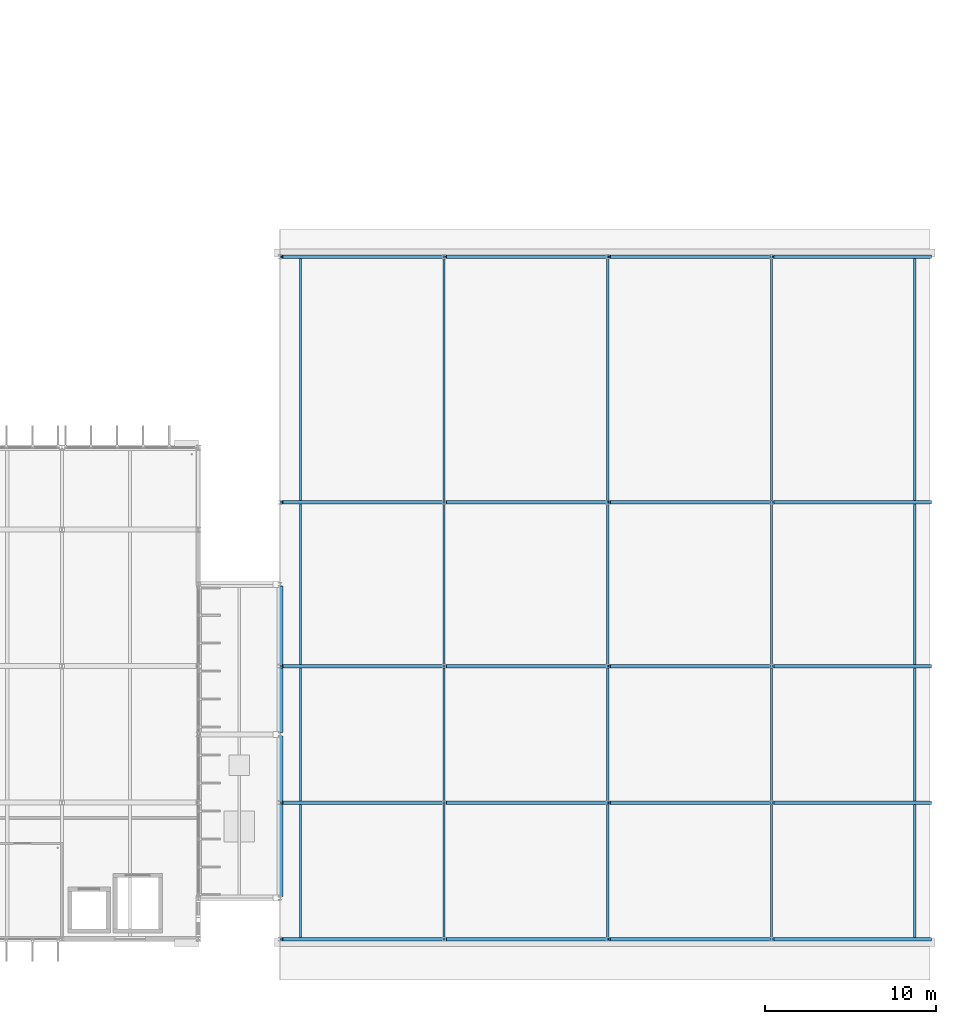
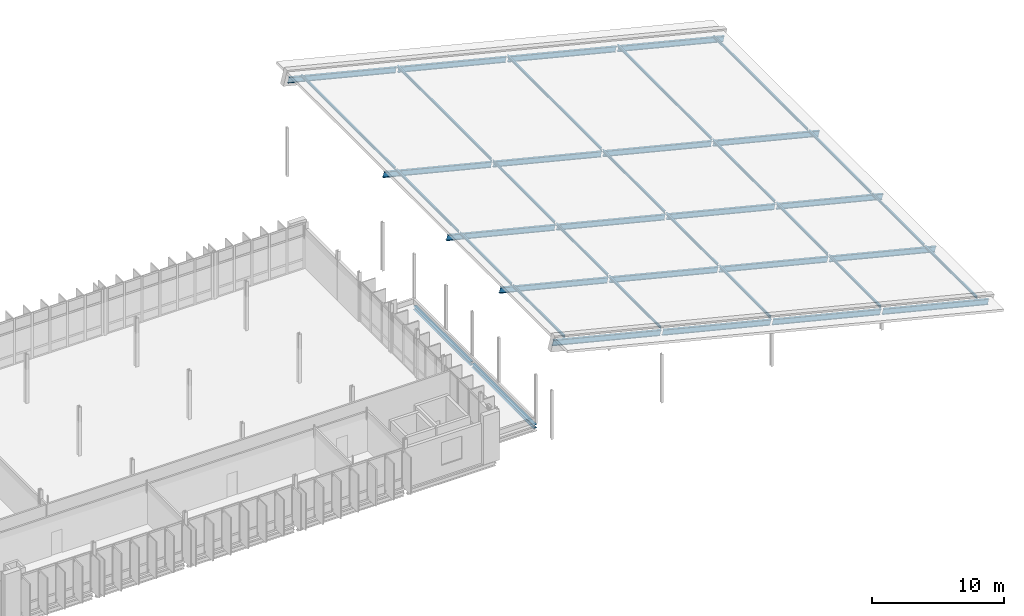
# One storey, part 38 of 93: 40 members, 2 beams.
"""IFC4 building model written with IfcOpenShell, lengths in metres."""

from ifc_helpers import new_model, si_unit, direction, frame, origin, origin_2d, place, context, subcontext, project, spatial, i_section, extrude, material, material_profile, profile_set, type_object, element, save


model = new_model("IFC4")

# Units and contexts
model_context = context("Model", 3, precision=1e-05, world=origin(), true_north=direction((0.0, 1.0)))
body_context = subcontext(model_context, "Body", "Model", "MODEL_VIEW")
ifc_project = project(units=[si_unit("LENGTHUNIT", "METRE"), si_unit("AREAUNIT", "SQUARE_METRE"), si_unit("VOLUMEUNIT", "CUBIC_METRE"), si_unit("PLANEANGLEUNIT", "RADIAN"), si_unit("MASSUNIT", "GRAM", prefix="KILO")], contexts=[model_context])

# Site, building, storey
site_placement = place(None, origin())
site = spatial("IfcSite", under=ifc_project, at=site_placement, CompositionType="ELEMENT")
building_placement = place(site_placement, origin())
building = spatial("IfcBuilding", under=site, at=building_placement, Name="Dunescarp Central Library", CompositionType="ELEMENT")
storey_placement = place(building_placement, frame((0.0, 0.0, 14.10009765625)))
storey = spatial("IfcBuildingStorey", under=building, at=storey_placement, Name="L03", CompositionType="ELEMENT", Elevation=14.10009765625)

# Beams
ifc_material = material(Name="Steel S355JR", Category="steel")
ifc_material_profile_1 = material_profile(ifc_material, i_section(OverallWidth=0.300048828125, OverallDepth=0.330078125, WebThickness=0.009521484375, FlangeThickness=0.0166015625, at=origin_2d()), Name="HEA 340")
ifc_profile_set_1 = profile_set([ifc_material_profile_1], Name="Steel S355JR")
beam_type = type_object("IfcBeamType", Name="STR-BM-HEA340", PredefinedType="BEAM", material=ifc_profile_set_1)
beam_1_placement = place(storey_placement, frame((129.60009765625, 7.299072265625, -0.405029296875), z_axis=(0.0, 1.0, 0.0), x_axis=(-1.0, 0.0, 0.0)))
element("IfcBeam", 1, at=beam_1_placement, inside=storey, type_object=beam_type, Name="L03 girder BM-L03-20011", PredefinedType="BEAM", context=body_context, shape_type="SweptSolid", body=[
    extrude(i_section(OverallWidth=0.300048828125, OverallDepth=0.330078125, WebThickness=0.009521484375, FlangeThickness=0.0166015625, at=origin_2d()), origin(), (0.0, 0.0, 1.0), 9.40185546875),
])
beam_2_placement = place(storey_placement, frame((129.60009765625, 16.89892578125, -0.405029296875), z_axis=(0.0, 1.0, 0.0), x_axis=(-1.0, 0.0, 0.0)))
element("IfcBeam", 2, at=beam_2_placement, inside=storey, type_object=beam_type, Name="L03 girder BM-L03-20014", PredefinedType="BEAM", context=body_context, shape_type="SweptSolid", body=[
    extrude(i_section(OverallWidth=0.300048828125, OverallDepth=0.330078125, WebThickness=0.009521484375, FlangeThickness=0.0166015625, at=origin_2d()), origin(), (0.0, 0.0, 1.0), 8.60205078125),
])

# Members
ifc_material_profile_2 = material_profile(ifc_material, i_section(OverallWidth=0.1201171875, OverallDepth=0.239990234375, WebThickness=0.006103515625, FlangeThickness=0.009765625, at=origin_2d()), Name="IPE 240")
ifc_profile_set_2 = profile_set([ifc_material_profile_2], Name="Steel S355JR")
member_type_1 = type_object("IfcMemberType", Name="STR-PR-IPE240", PredefinedType="PURLIN", material=ifc_profile_set_2)
for number, where, z_axis, x_axis, name in (
    (3, (130.800048828125, 4.89697265625, 8.9189453125), (0.0, 1.0, 0.0), (-1.0, 0.0, 0.0), "V5 roof purlin PR-V5-052"),
    (4, (130.800048828125, 12.89697265625, 8.9189453125), (0.0, 1.0, 0.0), (-1.0, 0.0, 0.0), "V5 roof purlin PR-V5-053"),
):
    element("IfcMember", number, at=place(storey_placement, frame(where, z_axis=z_axis, x_axis=x_axis)), inside=storey, type_object=member_type_1, Name=name, PredefinedType="PURLIN", context=body_context, shape_type="SweptSolid", body=[
        extrude(i_section(OverallWidth=0.1201171875, OverallDepth=0.239990234375, WebThickness=0.006103515625, FlangeThickness=0.009765625, at=origin_2d()), origin(), (0.0, 0.0, 1.0), 7.805908203125),
    ])
member_1_placement = place(storey_placement, frame((130.800048828125, 20.89697265625, 8.9189453125), z_axis=(0.0, 1.0, 0.0), x_axis=(-1.0, 0.0, 0.0)))
element("IfcMember", 5, at=member_1_placement, inside=storey, type_object=member_type_1, Name="V5 roof purlin PR-V5-054", PredefinedType="PURLIN", context=body_context, shape_type="SweptSolid", body=[
    extrude(i_section(OverallWidth=0.1201171875, OverallDepth=0.239990234375, WebThickness=0.006103515625, FlangeThickness=0.009765625, at=origin_2d()), origin(), (0.0, 0.0, 1.0), 9.406005859375),
])
member_2_placement = place(storey_placement, frame((130.800048828125, 30.4970703125, 8.9189453125), z_axis=(0.0, 1.0, 0.0), x_axis=(-1.0, 0.0, 0.0)))
element("IfcMember", 6, at=member_2_placement, inside=storey, type_object=member_type_1, Name="V5 roof purlin PR-V5-055", PredefinedType="PURLIN", context=body_context, shape_type="SweptSolid", body=[
    extrude(i_section(OverallWidth=0.1201171875, OverallDepth=0.239990234375, WebThickness=0.006103515625, FlangeThickness=0.009765625, at=origin_2d()), origin(), (0.0, 0.0, 1.0), 14.205810546875),
])
for number, where, z_axis, x_axis, name in (
    (7, (139.199951171875, 4.89697265625, 6.81884765625), (0.0, 1.0, 0.0), (-1.0, 0.0, 0.0), "V5 roof purlin PR-V5-056"),
    (8, (139.199951171875, 12.89697265625, 6.81884765625), (0.0, 1.0, 0.0), (-1.0, 0.0, 0.0), "V5 roof purlin PR-V5-057"),
):
    element("IfcMember", number, at=place(storey_placement, frame(where, z_axis=z_axis, x_axis=x_axis)), inside=storey, type_object=member_type_1, Name=name, PredefinedType="PURLIN", context=body_context, shape_type="SweptSolid", body=[
        extrude(i_section(OverallWidth=0.1201171875, OverallDepth=0.239990234375, WebThickness=0.006103515625, FlangeThickness=0.009765625, at=origin_2d()), origin(), (0.0, 0.0, 1.0), 7.805908203125),
    ])
member_3_placement = place(storey_placement, frame((139.199951171875, 20.89697265625, 6.81884765625), z_axis=(0.0, 1.0, 0.0), x_axis=(-1.0, 0.0, 0.0)))
element("IfcMember", 9, at=member_3_placement, inside=storey, type_object=member_type_1, Name="V5 roof purlin PR-V5-058", PredefinedType="PURLIN", context=body_context, shape_type="SweptSolid", body=[
    extrude(i_section(OverallWidth=0.1201171875, OverallDepth=0.239990234375, WebThickness=0.006103515625, FlangeThickness=0.009765625, at=origin_2d()), origin(), (0.0, 0.0, 1.0), 9.406005859375),
])
member_4_placement = place(storey_placement, frame((139.199951171875, 30.4970703125, 6.81884765625), z_axis=(0.0, 1.0, 0.0), x_axis=(-1.0, 0.0, 0.0)))
element("IfcMember", 10, at=member_4_placement, inside=storey, type_object=member_type_1, Name="V5 roof purlin PR-V5-059", PredefinedType="PURLIN", context=body_context, shape_type="SweptSolid", body=[
    extrude(i_section(OverallWidth=0.1201171875, OverallDepth=0.239990234375, WebThickness=0.006103515625, FlangeThickness=0.009765625, at=origin_2d()), origin(), (0.0, 0.0, 1.0), 14.205810546875),
])
for number, where, z_axis, x_axis, name in (
    (11, (148.800048828125, 4.89697265625, 4.4189453125), (0.0, 1.0, 0.0), (-1.0, 0.0, 0.0), "V5 roof purlin PR-V5-060"),
    (12, (148.800048828125, 12.89697265625, 4.4189453125), (0.0, 1.0, 0.0), (-1.0, 0.0, 0.0), "V5 roof purlin PR-V5-061"),
):
    element("IfcMember", number, at=place(storey_placement, frame(where, z_axis=z_axis, x_axis=x_axis)), inside=storey, type_object=member_type_1, Name=name, PredefinedType="PURLIN", context=body_context, shape_type="SweptSolid", body=[
        extrude(i_section(OverallWidth=0.1201171875, OverallDepth=0.239990234375, WebThickness=0.006103515625, FlangeThickness=0.009765625, at=origin_2d()), origin(), (0.0, 0.0, 1.0), 7.805908203125),
    ])
member_5_placement = place(storey_placement, frame((148.800048828125, 20.89697265625, 4.4189453125), z_axis=(0.0, 1.0, 0.0), x_axis=(-1.0, 0.0, 0.0)))
element("IfcMember", 13, at=member_5_placement, inside=storey, type_object=member_type_1, Name="V5 roof purlin PR-V5-062", PredefinedType="PURLIN", context=body_context, shape_type="SweptSolid", body=[
    extrude(i_section(OverallWidth=0.1201171875, OverallDepth=0.239990234375, WebThickness=0.006103515625, FlangeThickness=0.009765625, at=origin_2d()), origin(), (0.0, 0.0, 1.0), 9.406005859375),
])
member_6_placement = place(storey_placement, frame((148.800048828125, 30.4970703125, 4.4189453125), z_axis=(0.0, 1.0, 0.0), x_axis=(-1.0, 0.0, 0.0)))
element("IfcMember", 14, at=member_6_placement, inside=storey, type_object=member_type_1, Name="V5 roof purlin PR-V5-063", PredefinedType="PURLIN", context=body_context, shape_type="SweptSolid", body=[
    extrude(i_section(OverallWidth=0.1201171875, OverallDepth=0.239990234375, WebThickness=0.006103515625, FlangeThickness=0.009765625, at=origin_2d()), origin(), (0.0, 0.0, 1.0), 14.205810546875),
])
for number, where, z_axis, x_axis, name in (
    (15, (158.39990234375, 4.89697265625, 2.018798828125), (0.0, 1.0, 0.0), (-1.0, 0.0, 0.0), "V5 roof purlin PR-V5-064"),
    (16, (158.39990234375, 12.89697265625, 2.018798828125), (0.0, 1.0, 0.0), (-1.0, 0.0, 0.0), "V5 roof purlin PR-V5-065"),
):
    element("IfcMember", number, at=place(storey_placement, frame(where, z_axis=z_axis, x_axis=x_axis)), inside=storey, type_object=member_type_1, Name=name, PredefinedType="PURLIN", context=body_context, shape_type="SweptSolid", body=[
        extrude(i_section(OverallWidth=0.1201171875, OverallDepth=0.239990234375, WebThickness=0.006103515625, FlangeThickness=0.009765625, at=origin_2d()), origin(), (0.0, 0.0, 1.0), 7.805908203125),
    ])
member_7_placement = place(storey_placement, frame((158.39990234375, 20.89697265625, 2.018798828125), z_axis=(0.0, 1.0, 0.0), x_axis=(-1.0, 0.0, 0.0)))
element("IfcMember", 17, at=member_7_placement, inside=storey, type_object=member_type_1, Name="V5 roof purlin PR-V5-066", PredefinedType="PURLIN", context=body_context, shape_type="SweptSolid", body=[
    extrude(i_section(OverallWidth=0.1201171875, OverallDepth=0.239990234375, WebThickness=0.006103515625, FlangeThickness=0.009765625, at=origin_2d()), origin(), (0.0, 0.0, 1.0), 9.406005859375),
])
member_8_placement = place(storey_placement, frame((158.39990234375, 30.4970703125, 2.018798828125), z_axis=(0.0, 1.0, 0.0), x_axis=(-1.0, 0.0, 0.0)))
element("IfcMember", 18, at=member_8_placement, inside=storey, type_object=member_type_1, Name="V5 roof purlin PR-V5-067", PredefinedType="PURLIN", context=body_context, shape_type="SweptSolid", body=[
    extrude(i_section(OverallWidth=0.1201171875, OverallDepth=0.239990234375, WebThickness=0.006103515625, FlangeThickness=0.009765625, at=origin_2d()), origin(), (0.0, 0.0, 1.0), 14.205810546875),
])
for number, where, z_axis, x_axis, name in (
    (19, (166.800048828125, 4.89697265625, -0.0810546875), (0.0, 1.0, 0.0), (-1.0, 0.0, 0.0), "V5 roof purlin PR-V5-068"),
    (20, (166.800048828125, 12.89697265625, -0.0810546875), (0.0, 1.0, 0.0), (-1.0, 0.0, 0.0), "V5 roof purlin PR-V5-069"),
):
    element("IfcMember", number, at=place(storey_placement, frame(where, z_axis=z_axis, x_axis=x_axis)), inside=storey, type_object=member_type_1, Name=name, PredefinedType="PURLIN", context=body_context, shape_type="SweptSolid", body=[
        extrude(i_section(OverallWidth=0.1201171875, OverallDepth=0.239990234375, WebThickness=0.006103515625, FlangeThickness=0.009765625, at=origin_2d()), origin(), (0.0, 0.0, 1.0), 7.805908203125),
    ])
member_9_placement = place(storey_placement, frame((166.800048828125, 20.89697265625, -0.0810546875), z_axis=(0.0, 1.0, 0.0), x_axis=(-1.0, 0.0, 0.0)))
element("IfcMember", 21, at=member_9_placement, inside=storey, type_object=member_type_1, Name="V5 roof purlin PR-V5-070", PredefinedType="PURLIN", context=body_context, shape_type="SweptSolid", body=[
    extrude(i_section(OverallWidth=0.1201171875, OverallDepth=0.239990234375, WebThickness=0.006103515625, FlangeThickness=0.009765625, at=origin_2d()), origin(), (0.0, 0.0, 1.0), 9.406005859375),
])
member_10_placement = place(storey_placement, frame((166.800048828125, 30.4970703125, -0.0810546875), z_axis=(0.0, 1.0, 0.0), x_axis=(-1.0, 0.0, 0.0)))
element("IfcMember", 22, at=member_10_placement, inside=storey, type_object=member_type_1, Name="V5 roof purlin PR-V5-071", PredefinedType="PURLIN", context=body_context, shape_type="SweptSolid", body=[
    extrude(i_section(OverallWidth=0.1201171875, OverallDepth=0.239990234375, WebThickness=0.006103515625, FlangeThickness=0.009765625, at=origin_2d()), origin(), (0.0, 0.0, 1.0), 14.205810546875),
])
ifc_material_profile_3 = material_profile(ifc_material, i_section(OverallWidth=0.199951171875, OverallDepth=0.5, WebThickness=0.01025390625, FlangeThickness=0.01611328125, at=origin_2d()), Name="IPE 500")
ifc_profile_set_3 = profile_set([ifc_material_profile_3], Name="Steel S355JR")
member_type_2 = type_object("IfcMemberType", Name="STR-RF-IPE500", PredefinedType="RAFTER", material=ifc_profile_set_3)
member_11_placement = place(storey_placement, frame((129.68798828125, 4.800048828125, 8.830810546875), z_axis=(0.970143978516, 0.0, -0.242529711476), x_axis=(0.0, 1.0, 0.0)))
element("IfcMember", 23, at=member_11_placement, inside=storey, type_object=member_type_2, Name="V5 raked roof rafter RFT-V5-041", PredefinedType="RAFTER", context=body_context, shape_type="SweptSolid", body=[
    extrude(i_section(OverallWidth=0.199951171875, OverallDepth=0.5, WebThickness=0.01025390625, FlangeThickness=0.01611328125, at=origin_2d()), origin(), (0.0, 0.0, 1.0), 9.714111328125),
])
member_12_placement = place(storey_placement, frame((139.2880859375, 4.800048828125, 6.430908203125), z_axis=(0.970142500145, 0.0, -0.242535625036), x_axis=(0.0, 1.0, 0.0)))
element("IfcMember", 24, at=member_12_placement, inside=storey, type_object=member_type_2, Name="V5 raked roof rafter RFT-V5-042", PredefinedType="RAFTER", context=body_context, shape_type="SweptSolid", body=[
    extrude(i_section(OverallWidth=0.199951171875, OverallDepth=0.5, WebThickness=0.01025390625, FlangeThickness=0.01611328125, at=origin_2d()), origin(), (0.0, 0.0, 1.0), 9.7138671875),
])
member_13_placement = place(storey_placement, frame((148.887939453125, 4.800048828125, 4.031005859375), z_axis=(0.970138064843, 0.0, -0.242553365555), x_axis=(0.0, 1.0, 0.0)))
element("IfcMember", 25, at=member_13_placement, inside=storey, type_object=member_type_2, Name="V5 raked roof rafter RFT-V5-043", PredefinedType="RAFTER", context=body_context, shape_type="SweptSolid", body=[
    extrude(i_section(OverallWidth=0.199951171875, OverallDepth=0.5, WebThickness=0.01025390625, FlangeThickness=0.01611328125, at=origin_2d()), origin(), (0.0, 0.0, 1.0), 9.714111328125),
])
member_14_placement = place(storey_placement, frame((158.488037109375, 4.800048828125, 1.630859375), z_axis=(0.970163636278, 0.0, -0.242451064842), x_axis=(0.0, 1.0, 0.0)))
element("IfcMember", 26, at=member_14_placement, inside=storey, type_object=member_type_2, Name="V5 raked roof rafter RFT-V5-044", PredefinedType="RAFTER", context=body_context, shape_type="SweptSolid", body=[
    extrude(i_section(OverallWidth=0.199951171875, OverallDepth=0.5, WebThickness=0.01025390625, FlangeThickness=0.01611328125, at=origin_2d()), origin(), (0.0, 0.0, 1.0), 9.5107421875),
])
member_15_placement = place(storey_placement, frame((129.68798828125, 12.800048828125, 8.830810546875), z_axis=(0.970143978516, 0.0, -0.242529711476), x_axis=(0.0, 1.0, 0.0)))
element("IfcMember", 27, at=member_15_placement, inside=storey, type_object=member_type_2, Name="V5 raked roof rafter RFT-V5-045", PredefinedType="RAFTER", context=body_context, shape_type="SweptSolid", body=[
    extrude(i_section(OverallWidth=0.199951171875, OverallDepth=0.5, WebThickness=0.01025390625, FlangeThickness=0.01611328125, at=origin_2d()), origin(), (0.0, 0.0, 1.0), 9.714111328125),
])
member_16_placement = place(storey_placement, frame((139.2880859375, 12.800048828125, 6.430908203125), z_axis=(0.970142500145, 0.0, -0.242535625036), x_axis=(0.0, 1.0, 0.0)))
element("IfcMember", 28, at=member_16_placement, inside=storey, type_object=member_type_2, Name="V5 raked roof rafter RFT-V5-046", PredefinedType="RAFTER", context=body_context, shape_type="SweptSolid", body=[
    extrude(i_section(OverallWidth=0.199951171875, OverallDepth=0.5, WebThickness=0.01025390625, FlangeThickness=0.01611328125, at=origin_2d()), origin(), (0.0, 0.0, 1.0), 9.7138671875),
])
member_17_placement = place(storey_placement, frame((148.887939453125, 12.800048828125, 4.031005859375), z_axis=(0.970138064843, 0.0, -0.242553365555), x_axis=(0.0, 1.0, 0.0)))
element("IfcMember", 29, at=member_17_placement, inside=storey, type_object=member_type_2, Name="V5 raked roof rafter RFT-V5-047", PredefinedType="RAFTER", context=body_context, shape_type="SweptSolid", body=[
    extrude(i_section(OverallWidth=0.199951171875, OverallDepth=0.5, WebThickness=0.01025390625, FlangeThickness=0.01611328125, at=origin_2d()), origin(), (0.0, 0.0, 1.0), 9.714111328125),
])
member_18_placement = place(storey_placement, frame((158.488037109375, 12.800048828125, 1.630859375), z_axis=(0.970163636278, 0.0, -0.242451064842), x_axis=(0.0, 1.0, 0.0)))
element("IfcMember", 30, at=member_18_placement, inside=storey, type_object=member_type_2, Name="V5 raked roof rafter RFT-V5-048", PredefinedType="RAFTER", context=body_context, shape_type="SweptSolid", body=[
    extrude(i_section(OverallWidth=0.199951171875, OverallDepth=0.5, WebThickness=0.01025390625, FlangeThickness=0.01611328125, at=origin_2d()), origin(), (0.0, 0.0, 1.0), 9.5107421875),
])
member_19_placement = place(storey_placement, frame((129.68798828125, 20.800048828125, 8.830810546875), z_axis=(0.970143978516, 0.0, -0.242529711476), x_axis=(0.0, 1.0, 0.0)))
element("IfcMember", 31, at=member_19_placement, inside=storey, type_object=member_type_2, Name="V5 raked roof rafter RFT-V5-049", PredefinedType="RAFTER", context=body_context, shape_type="SweptSolid", body=[
    extrude(i_section(OverallWidth=0.199951171875, OverallDepth=0.5, WebThickness=0.01025390625, FlangeThickness=0.01611328125, at=origin_2d()), origin(), (0.0, 0.0, 1.0), 9.714111328125),
])
member_20_placement = place(storey_placement, frame((139.2880859375, 20.800048828125, 6.430908203125), z_axis=(0.970142500145, 0.0, -0.242535625036), x_axis=(0.0, 1.0, 0.0)))
element("IfcMember", 32, at=member_20_placement, inside=storey, type_object=member_type_2, Name="V5 raked roof rafter RFT-V5-050", PredefinedType="RAFTER", context=body_context, shape_type="SweptSolid", body=[
    extrude(i_section(OverallWidth=0.199951171875, OverallDepth=0.5, WebThickness=0.01025390625, FlangeThickness=0.01611328125, at=origin_2d()), origin(), (0.0, 0.0, 1.0), 9.7138671875),
])
member_21_placement = place(storey_placement, frame((148.887939453125, 20.800048828125, 4.031005859375), z_axis=(0.970138064843, 0.0, -0.242553365555), x_axis=(0.0, 1.0, 0.0)))
element("IfcMember", 33, at=member_21_placement, inside=storey, type_object=member_type_2, Name="V5 raked roof rafter RFT-V5-051", PredefinedType="RAFTER", context=body_context, shape_type="SweptSolid", body=[
    extrude(i_section(OverallWidth=0.199951171875, OverallDepth=0.5, WebThickness=0.01025390625, FlangeThickness=0.01611328125, at=origin_2d()), origin(), (0.0, 0.0, 1.0), 9.714111328125),
])
member_22_placement = place(storey_placement, frame((158.488037109375, 20.800048828125, 1.630859375), z_axis=(0.970163636278, 0.0, -0.242451064842), x_axis=(0.0, 1.0, 0.0)))
element("IfcMember", 34, at=member_22_placement, inside=storey, type_object=member_type_2, Name="V5 raked roof rafter RFT-V5-052", PredefinedType="RAFTER", context=body_context, shape_type="SweptSolid", body=[
    extrude(i_section(OverallWidth=0.199951171875, OverallDepth=0.5, WebThickness=0.01025390625, FlangeThickness=0.01611328125, at=origin_2d()), origin(), (0.0, 0.0, 1.0), 9.5107421875),
])
member_23_placement = place(storey_placement, frame((129.68798828125, 30.39990234375, 8.830810546875), z_axis=(0.970143978516, 0.0, -0.242529711476), x_axis=(0.0, 1.0, 0.0)))
element("IfcMember", 35, at=member_23_placement, inside=storey, type_object=member_type_2, Name="V5 raked roof rafter RFT-V5-053", PredefinedType="RAFTER", context=body_context, shape_type="SweptSolid", body=[
    extrude(i_section(OverallWidth=0.199951171875, OverallDepth=0.5, WebThickness=0.01025390625, FlangeThickness=0.01611328125, at=origin_2d()), origin(), (0.0, 0.0, 1.0), 9.714111328125),
])
member_24_placement = place(storey_placement, frame((139.2880859375, 30.39990234375, 6.430908203125), z_axis=(0.970142500145, 0.0, -0.242535625036), x_axis=(0.0, 1.0, 0.0)))
element("IfcMember", 36, at=member_24_placement, inside=storey, type_object=member_type_2, Name="V5 raked roof rafter RFT-V5-054", PredefinedType="RAFTER", context=body_context, shape_type="SweptSolid", body=[
    extrude(i_section(OverallWidth=0.199951171875, OverallDepth=0.5, WebThickness=0.01025390625, FlangeThickness=0.01611328125, at=origin_2d()), origin(), (0.0, 0.0, 1.0), 9.7138671875),
])
member_25_placement = place(storey_placement, frame((148.887939453125, 30.39990234375, 4.031005859375), z_axis=(0.970138064843, 0.0, -0.242553365555), x_axis=(0.0, 1.0, 0.0)))
element("IfcMember", 37, at=member_25_placement, inside=storey, type_object=member_type_2, Name="V5 raked roof rafter RFT-V5-055", PredefinedType="RAFTER", context=body_context, shape_type="SweptSolid", body=[
    extrude(i_section(OverallWidth=0.199951171875, OverallDepth=0.5, WebThickness=0.01025390625, FlangeThickness=0.01611328125, at=origin_2d()), origin(), (0.0, 0.0, 1.0), 9.714111328125),
])
member_26_placement = place(storey_placement, frame((158.488037109375, 30.39990234375, 1.630859375), z_axis=(0.970163636278, 0.0, -0.242451064842), x_axis=(0.0, 1.0, 0.0)))
element("IfcMember", 38, at=member_26_placement, inside=storey, type_object=member_type_2, Name="V5 raked roof rafter RFT-V5-056", PredefinedType="RAFTER", context=body_context, shape_type="SweptSolid", body=[
    extrude(i_section(OverallWidth=0.199951171875, OverallDepth=0.5, WebThickness=0.01025390625, FlangeThickness=0.01611328125, at=origin_2d()), origin(), (0.0, 0.0, 1.0), 9.5107421875),
])
member_27_placement = place(storey_placement, frame((129.68798828125, 44.800048828125, 8.830810546875), z_axis=(0.970143978516, 0.0, -0.242529711476), x_axis=(0.0, 1.0, 0.0)))
element("IfcMember", 39, at=member_27_placement, inside=storey, type_object=member_type_2, Name="V5 raked roof rafter RFT-V5-057", PredefinedType="RAFTER", context=body_context, shape_type="SweptSolid", body=[
    extrude(i_section(OverallWidth=0.199951171875, OverallDepth=0.5, WebThickness=0.01025390625, FlangeThickness=0.01611328125, at=origin_2d()), origin(), (0.0, 0.0, 1.0), 9.714111328125),
])
member_28_placement = place(storey_placement, frame((139.2880859375, 44.800048828125, 6.430908203125), z_axis=(0.970142500145, 0.0, -0.242535625036), x_axis=(0.0, 1.0, 0.0)))
element("IfcMember", 40, at=member_28_placement, inside=storey, type_object=member_type_2, Name="V5 raked roof rafter RFT-V5-058", PredefinedType="RAFTER", context=body_context, shape_type="SweptSolid", body=[
    extrude(i_section(OverallWidth=0.199951171875, OverallDepth=0.5, WebThickness=0.01025390625, FlangeThickness=0.01611328125, at=origin_2d()), origin(), (0.0, 0.0, 1.0), 9.7138671875),
])
member_29_placement = place(storey_placement, frame((148.887939453125, 44.800048828125, 4.031005859375), z_axis=(0.970138064843, 0.0, -0.242553365555), x_axis=(0.0, 1.0, 0.0)))
element("IfcMember", 41, at=member_29_placement, inside=storey, type_object=member_type_2, Name="V5 raked roof rafter RFT-V5-059", PredefinedType="RAFTER", context=body_context, shape_type="SweptSolid", body=[
    extrude(i_section(OverallWidth=0.199951171875, OverallDepth=0.5, WebThickness=0.01025390625, FlangeThickness=0.01611328125, at=origin_2d()), origin(), (0.0, 0.0, 1.0), 9.714111328125),
])
member_30_placement = place(storey_placement, frame((158.488037109375, 44.800048828125, 1.630859375), z_axis=(0.970163636278, 0.0, -0.242451064842), x_axis=(0.0, 1.0, 0.0)))
element("IfcMember", 42, at=member_30_placement, inside=storey, type_object=member_type_2, Name="V5 raked roof rafter RFT-V5-060", PredefinedType="RAFTER", context=body_context, shape_type="SweptSolid", body=[
    extrude(i_section(OverallWidth=0.199951171875, OverallDepth=0.5, WebThickness=0.01025390625, FlangeThickness=0.01611328125, at=origin_2d()), origin(), (0.0, 0.0, 1.0), 9.5107421875),
])

save(model, "model.ifc")
